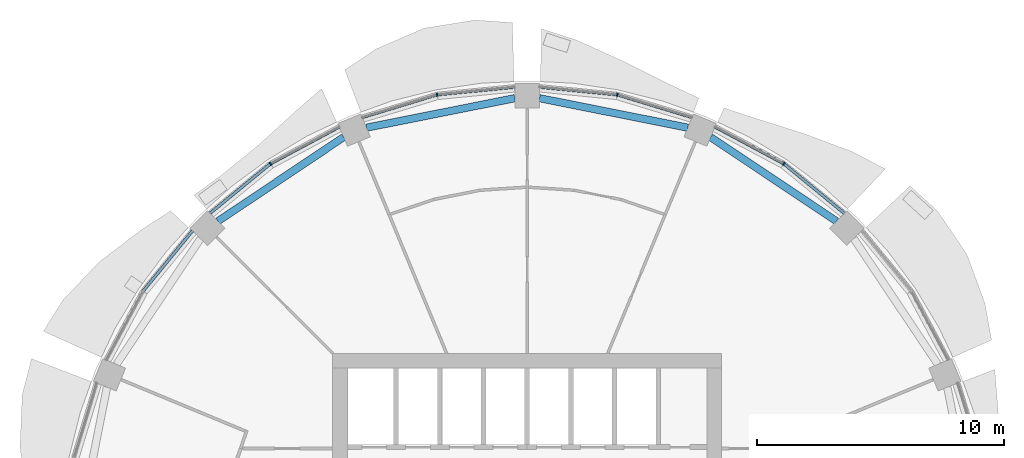
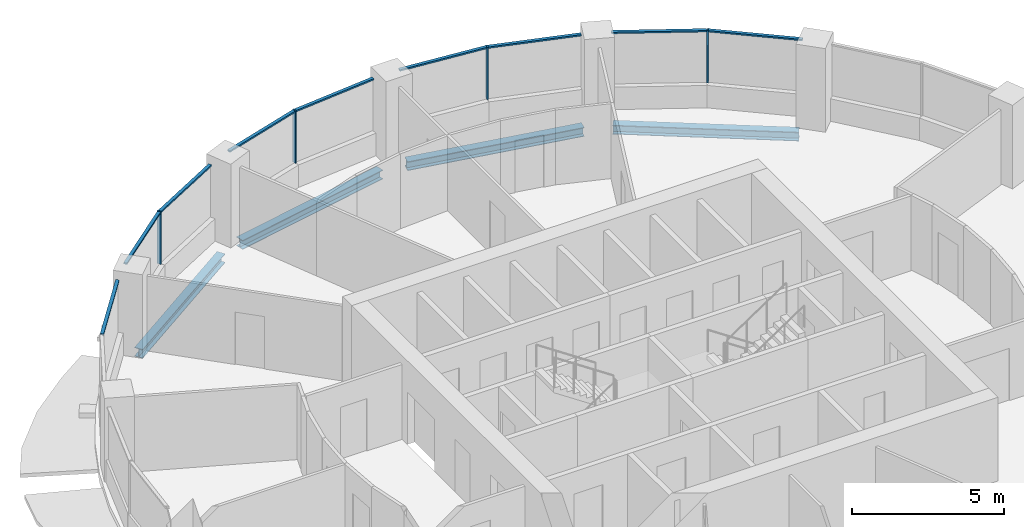
# One storey, part 6 of 14: 13 members, 4 beams, 5 elements without a shape of their own.
"""IFC4 building model written with IfcOpenShell, lengths in metres."""

from ifc_helpers import new_model, si_unit, direction, frame, origin, origin_2d, place, context, subcontext, project, spatial, rectangle, i_section, extrude, material, material_profile, profile_set, type_object, element, aggregate, save


model = new_model("IFC4")

# Units and contexts
model_context = context("Model", 3, precision=1e-05, world=origin(), true_north=direction((0.0, 1.0)))
body_context = subcontext(model_context, "Body", "Model", "MODEL_VIEW")
ifc_project = project(units=[si_unit("LENGTHUNIT", "METRE"), si_unit("AREAUNIT", "SQUARE_METRE"), si_unit("VOLUMEUNIT", "CUBIC_METRE"), si_unit("PLANEANGLEUNIT", "RADIAN"), si_unit("MASSUNIT", "GRAM", prefix="KILO")], contexts=[model_context])

# Site, building, storey
site_placement = place(None, origin())
site = spatial("IfcSite", under=ifc_project, at=site_placement, CompositionType="ELEMENT")
building_placement = place(site_placement, origin())
building = spatial("IfcBuilding", under=site, at=building_placement, Name="Polderwave Tower", CompositionType="ELEMENT")
storey_placement = place(building_placement, frame((0.0, 0.0, 147.75)))
storey = spatial("IfcBuildingStorey", under=building, at=storey_placement, Name="L39", CompositionType="ELEMENT", Elevation=147.75)

# Curtain wall, member
ifc_material_1 = material(Name="Aluminium 6063-T6 and glass", Category="aluminium")
curtain_wall_type = type_object("IfcCurtainWallType", Name="Office ribbon glazing wall", PredefinedType="NOTDEFINED", material=ifc_material_1)
curtain_wall_1_placement = place(storey_placement, origin())
curtain_wall_1 = element("IfcCurtainWall", 1, at=curtain_wall_1_placement, inside=storey, type_object=curtain_wall_type, Name="CW3 L39 02", PredefinedType="NOTDEFINED")
ifc_material_2 = material(Name="Aluminium 6063-T6", Category="aluminium")
ifc_material_profile_1 = material_profile(ifc_material_2, rectangle(XDim=0.139892578125, YDim=0.054931640625, at=origin_2d()), Name="AL 55x140")
ifc_profile_set_1 = profile_set([ifc_material_profile_1], Name="Aluminium 6063-T6")
member_type_1 = type_object("IfcMemberType", Name="Office ribbon glazing mullion 55x140", PredefinedType="MULLION", material=ifc_profile_set_1)
member_1_placement = place(storey_placement, frame((10.388916015625, 15.548095703125, 0.89990234375), z_axis=(0.0, 0.0, 1.0), x_axis=(-0.555512184136, -0.831508396395, 0.0)))
member_1 = element("IfcMember", 2, at=member_1_placement, type_object=member_type_1, Name="CW3 mullion 1", PredefinedType="MULLION", context=body_context, shape_type="SweptSolid", body=[
    extrude(rectangle(XDim=0.139892578125, YDim=0.054931640625, at=origin_2d()), origin(), (0.0, 0.0, 1.0), 2.10009765625),
])

curtain_wall_2_placement = place(storey_placement, origin())
curtain_wall_2 = element("IfcCurtainWall", 3, at=curtain_wall_2_placement, inside=storey, type_object=curtain_wall_type, Name="CW3 L39 03", PredefinedType="NOTDEFINED")
member_2_placement = place(storey_placement, frame((3.64794921875, 18.341064453125, 0.89990234375), z_axis=(0.0, 0.0, 1.0), x_axis=(-0.195196452055, -0.980764163857, 0.0)))
member_2 = element("IfcMember", 4, at=member_2_placement, type_object=member_type_1, Name="CW3 mullion 1", PredefinedType="MULLION", context=body_context, shape_type="SweptSolid", body=[
    extrude(rectangle(XDim=0.139892578125, YDim=0.054931640625, at=origin_2d()), origin(), (0.0, 0.0, 1.0), 2.10009765625),
])

curtain_wall_3_placement = place(storey_placement, origin())
curtain_wall_3 = element("IfcCurtainWall", 5, at=curtain_wall_3_placement, inside=storey, type_object=curtain_wall_type, Name="CW3 L39 04", PredefinedType="NOTDEFINED")
member_3_placement = place(storey_placement, frame((-3.64794921875, 18.341064453125, 0.89990234375), z_axis=(0.0, 0.0, 1.0), x_axis=(0.195196452055, -0.980764163857, 0.0)))
member_3 = element("IfcMember", 6, at=member_3_placement, type_object=member_type_1, Name="CW3 mullion 1", PredefinedType="MULLION", context=body_context, shape_type="SweptSolid", body=[
    extrude(rectangle(XDim=0.139892578125, YDim=0.054931640625, at=origin_2d()), origin(), (0.0, 0.0, 1.0), 2.10009765625),
])

curtain_wall_4_placement = place(storey_placement, origin())
curtain_wall_4 = element("IfcCurtainWall", 7, at=curtain_wall_4_placement, inside=storey, type_object=curtain_wall_type, Name="CW3 L39 05", PredefinedType="NOTDEFINED")
member_4_placement = place(storey_placement, frame((-10.388916015625, 15.548095703125, 0.89990234375), z_axis=(0.0, 0.0, 1.0), x_axis=(0.555512184136, -0.831508396395, 0.0)))
member_4 = element("IfcMember", 8, at=member_4_placement, type_object=member_type_1, Name="CW3 mullion 1", PredefinedType="MULLION", context=body_context, shape_type="SweptSolid", body=[
    extrude(rectangle(XDim=0.139892578125, YDim=0.054931640625, at=origin_2d()), origin(), (0.0, 0.0, 1.0), 2.10009765625),
])

# Member
ifc_material_profile_2 = material_profile(ifc_material_2, rectangle(XDim=0.1201171875, YDim=0.06005859375, at=origin_2d()), Name="AL 60x120")
ifc_profile_set_2 = profile_set([ifc_material_profile_2], Name="Aluminium 6063-T6")
member_type_2 = type_object("IfcMemberType", Name="Office ribbon glazing transom 60x120", PredefinedType="USERDEFINED", material=ifc_profile_set_2)
member_5_placement = place(storey_placement, frame((12.8349609375, 13.5419921875, 2.969970703125), z_axis=(-0.773207470816, 0.634153141657, 0.0), x_axis=(-0.634153141657, -0.773207470816, 0.0)))
member_5 = element("IfcMember", 9, at=member_5_placement, type_object=member_type_2, Name="CW3 transom 1", ObjectType="TRANSOM", PredefinedType="USERDEFINED", context=body_context, shape_type="SweptSolid", body=[
    extrude(rectangle(XDim=0.1201171875, YDim=0.06005859375, at=origin_2d()), origin(), (0.0, 0.0, 1.0), 3.1357421875),
])

member_6_placement = place(storey_placement, frame((10.36474609375, 15.56103515625, 2.969970703125), z_axis=(-0.881822284691, 0.471581867996, 0.0), x_axis=(-0.471581867996, -0.881822284691, 0.0)))
member_6 = element("IfcMember", 10, at=member_6_placement, type_object=member_type_2, Name="CW3 transom 2", ObjectType="TRANSOM", PredefinedType="USERDEFINED", context=body_context, shape_type="SweptSolid", body=[
    extrude(rectangle(XDim=0.1201171875, YDim=0.06005859375, at=origin_2d()), origin(), (0.0, 0.0, 1.0), 3.13623046875),
])

aggregate(curtain_wall_1, [member_1, member_5, member_6])

member_7_placement = place(storey_placement, frame((6.675048828125, 17.422119140625, 2.969970703125), z_axis=(-0.956884827172, 0.290467601512, 0.0), x_axis=(-0.290467601512, -0.956884827172, 0.0)))
member_7 = element("IfcMember", 11, at=member_7_placement, type_object=member_type_2, Name="CW3 transom 1", ObjectType="TRANSOM", PredefinedType="USERDEFINED", context=body_context, shape_type="SweptSolid", body=[
    extrude(rectangle(XDim=0.1201171875, YDim=0.06005859375, at=origin_2d()), origin(), (0.0, 0.0, 1.0), 3.135986328125),
])

member_8_placement = place(storey_placement, frame((3.62060546875, 18.34375, 2.969970703125), z_axis=(-0.995191689442, 0.097946420382, 0.0), x_axis=(-0.097946420382, -0.995191689442, 0.0)))
member_8 = element("IfcMember", 12, at=member_8_placement, type_object=member_type_2, Name="CW3 transom 2", ObjectType="TRANSOM", PredefinedType="USERDEFINED", context=body_context, shape_type="SweptSolid", body=[
    extrude(rectangle(XDim=0.1201171875, YDim=0.06005859375, at=origin_2d()), origin(), (0.0, 0.0, 1.0), 3.1357421875),
])

aggregate(curtain_wall_2, [member_2, member_7, member_8])

member_9_placement = place(storey_placement, frame((-0.5, 18.65087890625, 2.969970703125), z_axis=(-0.995191689442, -0.097946420382, 0.0), x_axis=(0.097946420382, -0.995191689442, 0.0)))
member_9 = element("IfcMember", 13, at=member_9_placement, type_object=member_type_2, Name="CW3 transom 1", ObjectType="TRANSOM", PredefinedType="USERDEFINED", context=body_context, shape_type="SweptSolid", body=[
    extrude(rectangle(XDim=0.1201171875, YDim=0.06005859375, at=origin_2d()), origin(), (0.0, 0.0, 1.0), 3.1357421875),
])

member_10_placement = place(storey_placement, frame((-3.67431640625, 18.3330078125, 2.969970703125), z_axis=(-0.956884827172, -0.290467601512, 0.0), x_axis=(0.290467601512, -0.956884827172, 0.0)))
member_10 = element("IfcMember", 14, at=member_10_placement, type_object=member_type_2, Name="CW3 transom 2", ObjectType="TRANSOM", PredefinedType="USERDEFINED", context=body_context, shape_type="SweptSolid", body=[
    extrude(rectangle(XDim=0.1201171875, YDim=0.06005859375, at=origin_2d()), origin(), (0.0, 0.0, 1.0), 3.135986328125),
])

aggregate(curtain_wall_3, [member_3, member_9, member_10])

member_11_placement = place(storey_placement, frame((-7.59912109375, 17.0400390625, 2.969970703125), z_axis=(-0.881822284691, -0.471581867996, 0.0), x_axis=(0.471581867996, -0.881822284691, 0.0)))
member_11 = element("IfcMember", 15, at=member_11_placement, type_object=member_type_2, Name="CW3 transom 1", ObjectType="TRANSOM", PredefinedType="USERDEFINED", context=body_context, shape_type="SweptSolid", body=[
    extrude(rectangle(XDim=0.1201171875, YDim=0.06005859375, at=origin_2d()), origin(), (0.0, 0.0, 1.0), 3.13623046875),
])

member_12_placement = place(storey_placement, frame((-10.410400390625, 15.530517578125, 2.969970703125), z_axis=(-0.773207470816, -0.634153141657, 0.0), x_axis=(0.634153141657, -0.773207470816, 0.0)))
member_12 = element("IfcMember", 16, at=member_12_placement, type_object=member_type_2, Name="CW3 transom 2", ObjectType="TRANSOM", PredefinedType="USERDEFINED", context=body_context, shape_type="SweptSolid", body=[
    extrude(rectangle(XDim=0.1201171875, YDim=0.06005859375, at=origin_2d()), origin(), (0.0, 0.0, 1.0), 3.1357421875),
])

aggregate(curtain_wall_4, [member_4, member_11, member_12])

# Curtain wall, member
curtain_wall_5_placement = place(storey_placement, origin())
curtain_wall_5 = element("IfcCurtainWall", 17, at=curtain_wall_5_placement, inside=storey, type_object=curtain_wall_type, Name="CW3 L39 06", PredefinedType="NOTDEFINED")
member_13_placement = place(storey_placement, frame((-13.5419921875, 12.8349609375, 2.969970703125), z_axis=(-0.634153141657, -0.773207470816, 0.0), x_axis=(0.773207470816, -0.634153141657, 0.0)))
member_13 = element("IfcMember", 18, at=member_13_placement, type_object=member_type_2, Name="CW3 transom 1", ObjectType="TRANSOM", PredefinedType="USERDEFINED", context=body_context, shape_type="SweptSolid", body=[
    extrude(rectangle(XDim=0.1201171875, YDim=0.06005859375, at=origin_2d()), origin(), (0.0, 0.0, 1.0), 3.1357421875),
])
aggregate(curtain_wall_5, [member_13])

# Beams
ifc_material_3 = material(Name="Steel S355", Category="steel")
ifc_material_profile_3 = material_profile(ifc_material_3, i_section(OverallWidth=0.300048828125, OverallDepth=0.360107421875, WebThickness=0.012451171875, FlangeThickness=0.0224609375, at=origin_2d()), Name="HE 360 B")
ifc_profile_set_3 = profile_set([ifc_material_profile_3], Name="Steel S355")
beam_type = type_object("IfcBeamType", Name="RING BEAM HE 360 B", PredefinedType="BEAM", material=ifc_profile_set_3)
beam_1_placement = place(storey_placement, frame((12.51611328125, 13.223388671875, -0.530029296875), z_axis=(-0.831472997284, 0.555565167003, 0.0), x_axis=(-0.555565167003, -0.831472997284, 0.0)))
element("IfcBeam", 19, at=beam_1_placement, inside=storey, type_object=beam_type, Name="ST-RB-L39-02", PredefinedType="BEAM", context=body_context, shape_type="SweptSolid", body=[
    extrude(i_section(OverallWidth=0.300048828125, OverallDepth=0.360107421875, WebThickness=0.012451171875, FlangeThickness=0.0224609375, at=origin_2d()), origin(), (0.0, 0.0, 1.0), 6.12060546875),
])
for number, where, z_axis, x_axis, name in (
    (20, (6.503173828125, 17.00634765625, -0.530029296875), (-0.980785709335, 0.195088165617, 0.0), (-0.195088165617, -0.980785709335, 0.0), "ST-RB-L39-03"),
    (21, (-0.5, 18.200439453125, -0.530029296875), (-0.980785709335, -0.195088165617, 0.0), (0.195088165617, -0.980785709335, 0.0), "ST-RB-L39-04"),
):
    element("IfcBeam", number, at=place(storey_placement, frame(where, z_axis=z_axis, x_axis=x_axis)), inside=storey, type_object=beam_type, Name=name, PredefinedType="BEAM", context=body_context, shape_type="SweptSolid", body=[
        extrude(i_section(OverallWidth=0.300048828125, OverallDepth=0.360107421875, WebThickness=0.012451171875, FlangeThickness=0.0224609375, at=origin_2d()), origin(), (0.0, 0.0, 1.0), 6.120849609375),
    ])
beam_2_placement = place(storey_placement, frame((-7.427001953125, 16.623779296875, -0.530029296875), z_axis=(-0.831472997284, -0.555565167003, 0.0), x_axis=(0.555565167003, -0.831472997284, 0.0)))
element("IfcBeam", 22, at=beam_2_placement, inside=storey, type_object=beam_type, Name="ST-RB-L39-05", PredefinedType="BEAM", context=body_context, shape_type="SweptSolid", body=[
    extrude(i_section(OverallWidth=0.300048828125, OverallDepth=0.360107421875, WebThickness=0.012451171875, FlangeThickness=0.0224609375, at=origin_2d()), origin(), (0.0, 0.0, 1.0), 6.12060546875),
])

save(model, "model.ifc")
